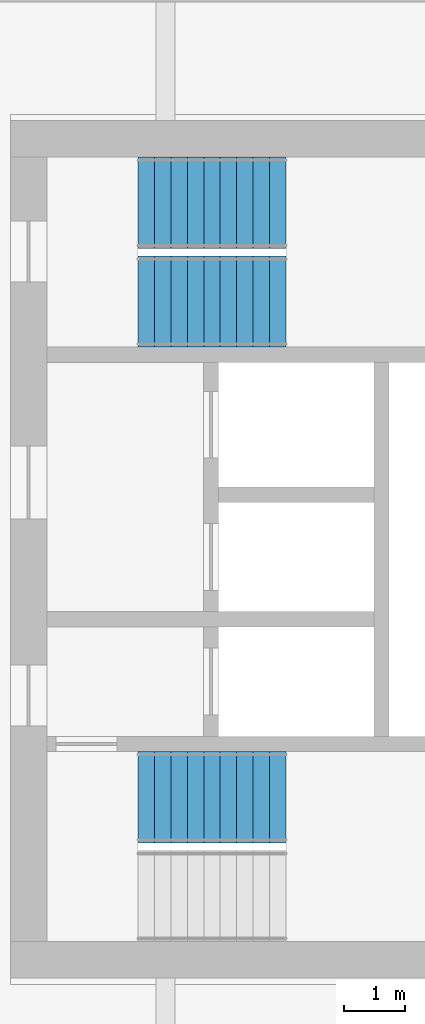
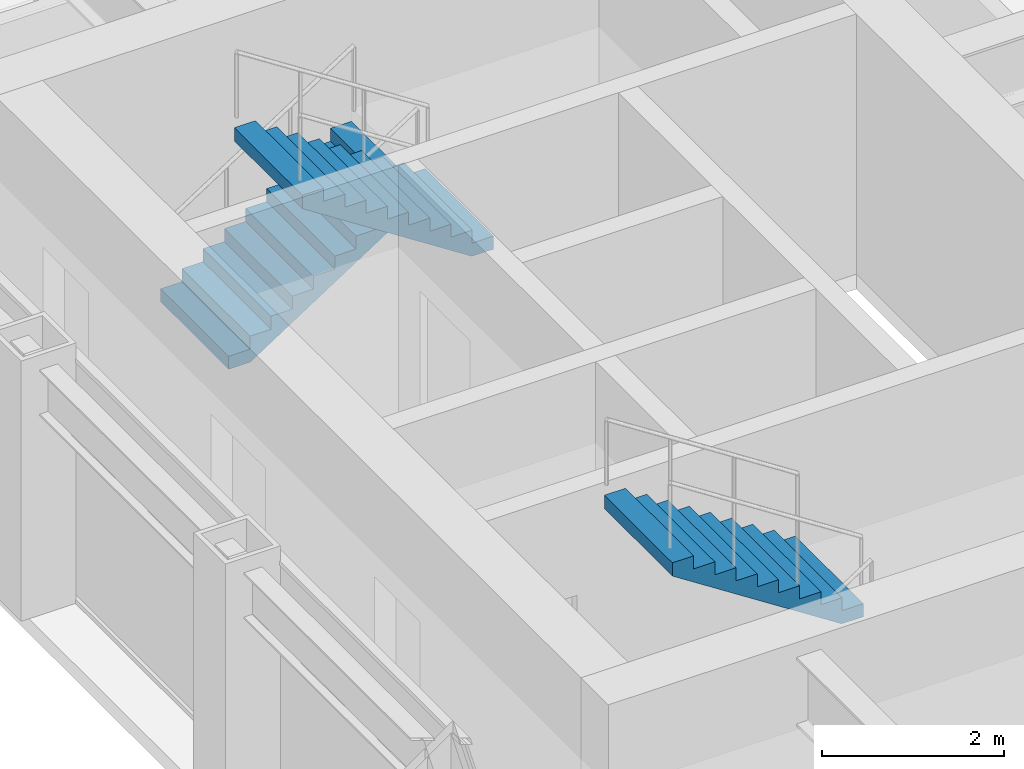
# One storey, part 16 of 21: 3 stair flights, 2 elements without a shape of their own.
"""IFC4 building model written with IfcOpenShell, lengths in metres."""

from ifc_helpers import new_model, si_unit, direction, frame, origin, place, context, subcontext, project, spatial, polyline, outline, extrude, material, type_object, element, aggregate, save


model = new_model("IFC4")

# Units and contexts
model_context = context("Model", 3, precision=1e-05, world=origin(), true_north=direction((0.0, 1.0)))
body_context = subcontext(model_context, "Body", "Model", "MODEL_VIEW")
ifc_project = project(units=[si_unit("LENGTHUNIT", "METRE"), si_unit("AREAUNIT", "SQUARE_METRE"), si_unit("VOLUMEUNIT", "CUBIC_METRE"), si_unit("PLANEANGLEUNIT", "RADIAN"), si_unit("MASSUNIT", "GRAM", prefix="KILO")], contexts=[model_context])

# Site, building, storey
site_placement = place(None, origin())
site = spatial("IfcSite", under=ifc_project, at=site_placement, CompositionType="ELEMENT")
building_placement = place(site_placement, origin())
building = spatial("IfcBuilding", under=site, at=building_placement, Name="Msasa Ring Tower", CompositionType="ELEMENT")
storey_placement = place(building_placement, frame((0.0, 0.0, 47.5)))
storey = spatial("IfcBuildingStorey", under=building, at=storey_placement, Name="L11", CompositionType="ELEMENT", Elevation=47.5)

# Stair, stair flight
ifc_material_1 = material(Name="Concrete C40/50", Category="concrete")
stair_type = type_object("IfcStairType", Name="STC CORE STAIR 20 RISERS 175", PredefinedType="HALF_TURN_STAIR", material=ifc_material_1)
stair_1_placement = place(storey_placement, origin())
stair_1 = element("IfcStair", 1, at=stair_1_placement, inside=storey, type_object=stair_type, Name="Core stair SEA L11", PredefinedType="HALF_TURN_STAIR")
ifc_material_2 = material(Name="Concrete C40/50", Category="concrete")
stair_flight_type = type_object("IfcStairFlightType", Name="ST12 CORE STAIR FLIGHT 1500 10 RISERS 175", PredefinedType="STRAIGHT", material=ifc_material_2)
stair_flight_1_placement = place(storey_placement, frame((13.22998046875, -4.074951171875, 1.75), z_axis=(0.0, 0.0, 1.0), x_axis=(-1.0, 0.0, 0.0)))
stair_flight_1 = element("IfcStairFlight", 2, at=stair_flight_1_placement, type_object=stair_flight_type, Name="SEA flight 2", NumberOfRisers=10, NumberOfTreads=9, PredefinedType="STRAIGHT", RiserHeight=0.175, TreadLength=0.27, context=body_context, shape_type="SweptSolid", body=[
    extrude(outline(polyline([(0.0, 0.0), (0.0, 0.175048828125), (0.27001953125, 0.175048828125), (0.27001953125, 0.35009765625), (0.5400390625, 0.35009765625), (0.5400390625, 0.52490234375), (0.81005859375, 0.52490234375), (0.81005859375, 0.699951171875), (1.080078125, 0.699951171875), (1.080078125, 0.875), (1.35009765625, 0.875), (1.35009765625, 1.050048828125), (1.6201171875, 1.050048828125), (1.6201171875, 1.22509765625), (1.889892578125, 1.22509765625), (1.889892578125, 1.39990234375), (2.159912109375, 1.39990234375), (2.159912109375, 1.574951171875), (2.429931640625, 1.574951171875), (2.429931640625, 1.75), (2.429931640625, 1.396484375), (0.275634765625, 0.0), (0.0, 0.0)])), frame((0.0, 0.75, 0.0), z_axis=(0.0, -1.0, 0.0), x_axis=(1.0, 0.0, 0.0)), (0.0, 0.0, 1.0), 1.5),
])
aggregate(stair_1, [stair_flight_1])

# Stair, stair flights
stair_2_placement = place(storey_placement, origin())
stair_2 = element("IfcStair", 3, at=stair_2_placement, inside=storey, type_object=stair_type, Name="Core stair SEB L11", PredefinedType="HALF_TURN_STAIR")
stair_flight_2_placement = place(storey_placement, frame((10.800048828125, 5.699951171875, 0.0), z_axis=(0.0, 0.0, 1.0), x_axis=(1.0, 0.0, 0.0)))
stair_flight_2 = element("IfcStairFlight", 4, at=stair_flight_2_placement, type_object=stair_flight_type, Name="SEB flight 1", NumberOfRisers=10, NumberOfTreads=9, PredefinedType="STRAIGHT", RiserHeight=0.175, TreadLength=0.27, context=body_context, shape_type="SweptSolid", body=[
    extrude(outline(polyline([(0.0, 0.0), (0.0, 0.175048828125), (0.27001953125, 0.175048828125), (0.27001953125, 0.35009765625), (0.5400390625, 0.35009765625), (0.5400390625, 0.52490234375), (0.81005859375, 0.52490234375), (0.81005859375, 0.699951171875), (1.080078125, 0.699951171875), (1.080078125, 0.875), (1.35009765625, 0.875), (1.35009765625, 1.050048828125), (1.6201171875, 1.050048828125), (1.6201171875, 1.22509765625), (1.889892578125, 1.22509765625), (1.889892578125, 1.39990234375), (2.159912109375, 1.39990234375), (2.159912109375, 1.574951171875), (2.429931640625, 1.574951171875), (2.429931640625, 1.75), (2.429931640625, 1.396484375), (0.275634765625, 0.0), (0.0, 0.0)])), frame((0.0, 0.75, 0.0), z_axis=(0.0, -1.0, 0.0), x_axis=(1.0, 0.0, 0.0)), (0.0, 0.0, 1.0), 1.5),
])
stair_flight_3_placement = place(storey_placement, frame((13.22998046875, 4.074951171875, 1.75), z_axis=(0.0, 0.0, 1.0), x_axis=(-1.0, 0.0, 0.0)))
stair_flight_3 = element("IfcStairFlight", 5, at=stair_flight_3_placement, type_object=stair_flight_type, Name="SEB flight 2", NumberOfRisers=10, NumberOfTreads=9, PredefinedType="STRAIGHT", RiserHeight=0.175, TreadLength=0.27, context=body_context, shape_type="SweptSolid", body=[
    extrude(outline(polyline([(0.0, 0.0), (0.0, 0.175048828125), (0.27001953125, 0.175048828125), (0.27001953125, 0.35009765625), (0.5400390625, 0.35009765625), (0.5400390625, 0.52490234375), (0.81005859375, 0.52490234375), (0.81005859375, 0.699951171875), (1.080078125, 0.699951171875), (1.080078125, 0.875), (1.35009765625, 0.875), (1.35009765625, 1.050048828125), (1.6201171875, 1.050048828125), (1.6201171875, 1.22509765625), (1.889892578125, 1.22509765625), (1.889892578125, 1.39990234375), (2.159912109375, 1.39990234375), (2.159912109375, 1.574951171875), (2.429931640625, 1.574951171875), (2.429931640625, 1.75), (2.429931640625, 1.396484375), (0.275634765625, 0.0), (0.0, 0.0)])), frame((0.0, 0.75, 0.0), z_axis=(0.0, -1.0, 0.0), x_axis=(1.0, 0.0, 0.0)), (0.0, 0.0, 1.0), 1.5),
])
aggregate(stair_2, [stair_flight_2, stair_flight_3])

save(model, "model.ifc")
